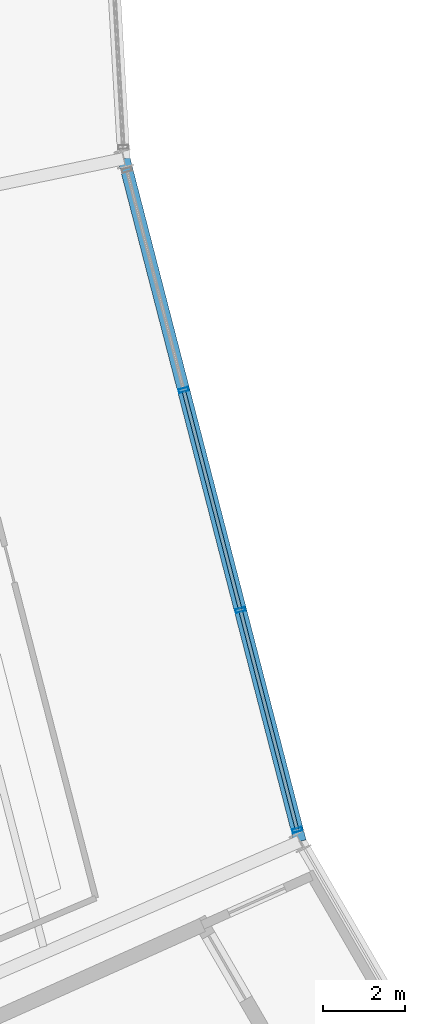
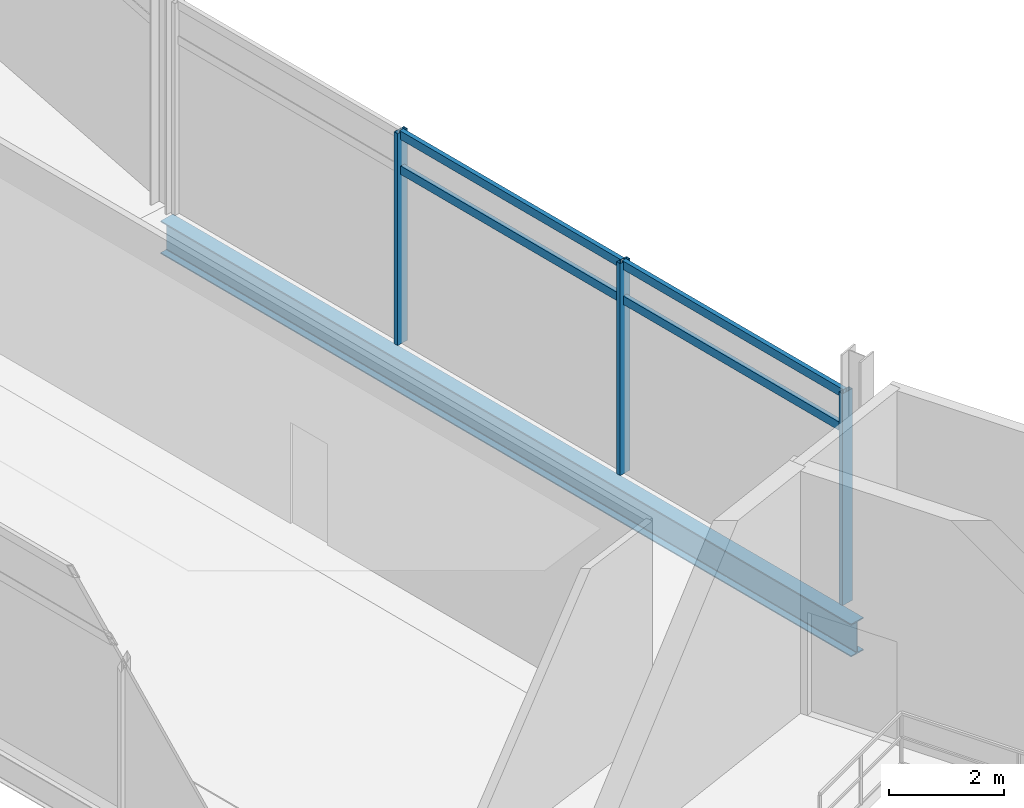
# One storey, part 27 of 86: 7 members, 1 beam, 1 element without a shape of its own.
"""IFC4 building model written with IfcOpenShell, lengths in metres."""

import ifcopenshell
import ifcopenshell.guid

model = None  # the IFC model being written
_history = None  # IfcOwnerHistory: only IFC2X3 demands one
_inside = {}  # id of a spatial element -> (the spatial element, [elements in it])
_under = {}  # id of a project, library or spatial element -> (it, [spatial elements below it])
_declared = {}  # id of a project -> (the project, [libraries it declares])
_typed = {}  # id of a type object -> (the type object, [elements of that type])
_made_of = {}  # id of a material, layer set ... -> (it, [elements and type objects made of it])


def new_model(schema):
    """Start an empty IFC model of exactly this schema.

    Asked for "IFC4X3", IfcOpenShell would pick the latest addendum, in which some entities
    have other attributes; the version numbers below select the first issue.
    IFC2X3 requires an IfcOwnerHistory on every rooted entity: one is made here for all.
    """
    global model, _history
    if schema == "IFC4X3":
        model = ifcopenshell.file(schema_version=(4, 3, 0, 0))
    else:
        model = ifcopenshell.file(schema=schema)
    _inside.clear()
    _under.clear()
    _declared.clear()
    _typed.clear()
    _made_of.clear()
    _history = None
    if model.schema == "IFC2X3":
        org = make("IfcOrganization", Name="unknown")
        user = make(
            "IfcPersonAndOrganization",
            ThePerson=make("IfcPerson", FamilyName="unknown"),
            TheOrganization=org,
        )
        app = make(
            "IfcApplication",
            ApplicationDeveloper=org,
            Version="unknown",
            ApplicationFullName="unknown",
            ApplicationIdentifier="unknown",
        )
        _history = make(
            "IfcOwnerHistory",
            OwningUser=user,
            OwningApplication=app,
            ChangeAction="ADDED",
            CreationDate=0,
        )
    return model


def make(cls, **values):
    """One entity of the class cls with the attributes given. An attribute that is None is left unset."""
    return model.create_entity(
        cls, **{name: value for name, value in values.items() if value is not None}
    )


def rooted(cls, **values):
    """An entity with a GlobalId (a new one), such as an element, a storey or a relation."""
    return make(cls, GlobalId=ifcopenshell.guid.new(), OwnerHistory=_history, **values)


def si_unit(unit_type, name, prefix=None):
    """IfcSIUnit, for example si_unit("LENGTHUNIT", "METRE", prefix="MILLI")."""
    return make("IfcSIUnit", UnitType=unit_type, Prefix=prefix, Name=name)


def assignment(units):
    """IfcUnitAssignment: the units of a project."""
    return None if units is None else make("IfcUnitAssignment", Units=units)


def point(xyz):
    """IfcCartesianPoint."""
    return None if xyz is None else make("IfcCartesianPoint", Coordinates=xyz)


def direction(xyz):
    """IfcDirection."""
    return None if xyz is None else make("IfcDirection", DirectionRatios=xyz)


def frame(location, z_axis=None, x_axis=None):
    """IfcAxis2Placement3D, a coordinate frame: its origin and axes. An axis left out is left unset."""
    return make(
        "IfcAxis2Placement3D",
        Location=point(location),
        Axis=direction(z_axis),
        RefDirection=direction(x_axis),
    )


def frame_2d(location, x_axis=None):
    """IfcAxis2Placement2D, a coordinate frame in the plane: its origin and x axis."""
    return make(
        "IfcAxis2Placement2D", Location=point(location), RefDirection=direction(x_axis)
    )


def origin():
    """The frame at (0, 0, 0) with its axes left unset."""
    return frame((0.0, 0.0, 0.0))


def origin_2d():
    """The frame at (0, 0) in the plane with its x axis left unset."""
    return frame_2d((0.0, 0.0))


def place(relative_to, where):
    """IfcLocalPlacement: puts the frame where relative to a parent placement (None: the world)."""
    return make(
        "IfcLocalPlacement", PlacementRelTo=relative_to, RelativePlacement=where
    )


def context(
    kind, dimensions, precision=None, world=None, true_north=None, identifier=None
):
    """IfcGeometricRepresentationContext, for example the 3D "Model" context."""
    return make(
        "IfcGeometricRepresentationContext",
        ContextIdentifier=identifier,
        ContextType=kind,
        CoordinateSpaceDimension=dimensions,
        Precision=precision,
        WorldCoordinateSystem=world,
        TrueNorth=true_north,
    )


def subcontext(parent, identifier, kind, view, scale=None):
    """IfcGeometricRepresentationSubContext, for example "Body" below "Model"."""
    return make(
        "IfcGeometricRepresentationSubContext",
        ContextIdentifier=identifier,
        ContextType=kind,
        ParentContext=parent,
        TargetScale=scale,
        TargetView=view,
    )


def project(units=None, contexts=None):
    """IfcProject with its units and contexts."""
    return rooted(
        "IfcProject",
        Name="project",
        RepresentationContexts=contexts,
        UnitsInContext=assignment(units),
    )


def spatial(cls, under=None, at=None, **own):
    """A site, building, storey or space (cls), placed at a placement, below another one or the project."""
    s = rooted(cls, ObjectPlacement=at, **own)
    if under is not None:
        _under.setdefault(under.id(), (under, []))[1].append(s)
    return s


def profile(cls, at=None, kind="AREA", **sizes):
    """A parametric profile (cls). Its sizes go by their IFC names, for example OverallWidth=200.0."""
    return make(cls, ProfileType=kind, Position=at, **sizes)


def hollow_rectangle(**sizes):
    """IfcRectangleHollowProfileDef."""
    return profile("IfcRectangleHollowProfileDef", **sizes)


def i_section(**sizes):
    """IfcIShapeProfileDef."""
    return profile("IfcIShapeProfileDef", **sizes)


def extrude(swept, where, along, depth):
    """IfcExtrudedAreaSolid: the profile swept, set in the frame where, extruded along a direction by depth."""
    return make(
        "IfcExtrudedAreaSolid",
        SweptArea=swept,
        Position=where,
        ExtrudedDirection=direction(along),
        Depth=depth,
    )


def shape(context_of_items, identifier, shape_type, items):
    """IfcShapeRepresentation: the items that make up one representation, for example the "Body"."""
    return make(
        "IfcShapeRepresentation",
        ContextOfItems=context_of_items,
        RepresentationIdentifier=identifier,
        RepresentationType=shape_type,
        Items=items,
    )


def material(Name=None, Category=None):
    """IfcMaterial."""
    return make("IfcMaterial", Name=Name, Category=Category)


def layer(
    of_material, thickness, ventilated=None, Name=None, Category=None, Priority=None
):
    """IfcMaterialLayer: one layer of a wall or slab, of a material (None: an air gap)."""
    return make(
        "IfcMaterialLayer",
        Material=of_material,
        LayerThickness=thickness,
        IsVentilated=ventilated,
        Name=Name,
        Category=Category,
        Priority=Priority,
    )


def layer_set(layers, Name=None):
    """IfcMaterialLayerSet."""
    return make("IfcMaterialLayerSet", MaterialLayers=layers, LayerSetName=Name)


def material_profile(
    of_material, cross_section, Name=None, Category=None, Priority=None
):
    """IfcMaterialProfile: a cross section and its material."""
    return make(
        "IfcMaterialProfile",
        Name=Name,
        Material=of_material,
        Profile=cross_section,
        Priority=Priority,
        Category=Category,
    )


def profile_set(profiles, Name=None, composite=None):
    """IfcMaterialProfileSet."""
    return make(
        "IfcMaterialProfileSet",
        Name=Name,
        MaterialProfiles=profiles,
        CompositeProfile=composite,
    )


def made_of(thing, what):
    """Note that an element or type object is made of a material, layer set ...; save() writes the relation."""
    if what is not None:
        _made_of.setdefault(what.id(), (what, []))[1].append(thing)
    return thing


def type_object(cls, material=None, **own):
    """A type object (cls), such as IfcWallType, which elements share."""
    return made_of(rooted(cls, **own), material)


def element(
    cls,
    number,
    at=None,
    inside=None,
    cuts=None,
    type_object=None,
    material=None,
    context=None,
    identifier="Body",
    shape_type=None,
    held_by="IfcProductDefinitionShape",
    body=None,
    shapes=None,
    **own,
):
    """One element of the class cls, such as IfcWall. Its Tag is "e" and its number.

    at: its placement. inside: the storey or other place that contains it. cuts: it is an
    opening in that element (IfcRelVoidsElement). A single representation is given by context,
    identifier, shape_type and body (its items); several are given by shapes. held_by: the class
    of the entity that holds the representations. save() writes the other relations.
    """
    e = rooted(cls, Tag="e%d" % number, ObjectPlacement=at, **own)
    if body is not None:
        shapes = [shape(context, identifier, shape_type, body)]
    if shapes is not None:
        e.Representation = make(held_by, Representations=shapes)
    if inside is not None:
        _inside.setdefault(inside.id(), (inside, []))[1].append(e)
    if cuts is not None:
        rooted(
            "IfcRelVoidsElement", RelatingBuildingElement=cuts, RelatedOpeningElement=e
        )
    if type_object is not None:
        _typed.setdefault(type_object.id(), (type_object, []))[1].append(e)
    return made_of(e, material)


def aggregate(whole, parts):
    """IfcRelAggregates: a whole, such as a stair, and the parts it consists of."""
    return rooted("IfcRelAggregates", RelatingObject=whole, RelatedObjects=parts)


def save(model, path):
    """Write the relations noted so far, then the file.

    IfcRelAggregates (storeys below a building ...), IfcRelContainedInSpatialStructure (elements
    in a storey), IfcRelDefinesByType, IfcRelAssociatesMaterial and IfcRelDeclares: one each for
    every whole, place, type object, material and project.
    """
    for whole, parts in _under.values():
        aggregate(whole, parts)
    for where, things in _inside.values():
        rooted(
            "IfcRelContainedInSpatialStructure",
            RelatedElements=things,
            RelatingStructure=where,
        )
    for kind, things in _typed.values():
        rooted("IfcRelDefinesByType", RelatedObjects=things, RelatingType=kind)
    for what, things in _made_of.values():
        rooted("IfcRelAssociatesMaterial", RelatedObjects=things, RelatingMaterial=what)
    for by, libraries in _declared.values():
        rooted("IfcRelDeclares", RelatingContext=by, RelatedDefinitions=libraries)
    model.write(path)


model = new_model("IFC4")

# Units and contexts
model_context = context("Model", 3, precision=1e-05, world=origin(), true_north=direction((0.0, 1.0)))
body_context = subcontext(model_context, "Body", "Model", "MODEL_VIEW")
ifc_project = project(units=[si_unit("LENGTHUNIT", "METRE"), si_unit("AREAUNIT", "SQUARE_METRE"), si_unit("VOLUMEUNIT", "CUBIC_METRE"), si_unit("PLANEANGLEUNIT", "RADIAN"), si_unit("MASSUNIT", "GRAM", prefix="KILO")], contexts=[model_context])

# Site, building, storey
site_placement = place(None, origin())
site = spatial("IfcSite", under=ifc_project, at=site_placement, CompositionType="ELEMENT")
building_placement = place(site_placement, origin())
building = spatial("IfcBuilding", under=site, at=building_placement, Name="Kazemori Nagisa Stadium", CompositionType="ELEMENT")
storey_placement = place(building_placement, frame((0.0, 0.0, 31.280029296875)))
storey = spatial("IfcBuildingStorey", under=building, at=storey_placement, Name="L06", CompositionType="ELEMENT", Elevation=31.280029296875)

# Beam
ifc_material_1 = material(Name="Steel SN490B", Category="steel")
ifc_material_profile_1 = material_profile(ifc_material_1, i_section(OverallWidth=0.300048828125, OverallDepth=0.699951171875, WebThickness=0.012939453125, FlangeThickness=0.02392578125, FilletRadius=0.01806640625, at=origin_2d()), Name="H-700x300x13x24")
ifc_profile_set_1 = profile_set([ifc_material_profile_1], Name="Steel SN490B")
beam_type = type_object("IfcBeamType", Name="Beam_BG-H700", PredefinedType="BEAM", material=ifc_profile_set_1)
beam_placement = place(storey_placement, frame((42.262451171875, 85.31787109375, -0.610107421875), z_axis=(0.249974673676, -0.968252375427, 0.0), x_axis=(0.968252375427, 0.249974673676, 0.0)))
element("IfcBeam", 1, at=beam_placement, inside=storey, type_object=beam_type, Name="Ring girder BG-H700 L06 R2-16", PredefinedType="BEAM", context=body_context, shape_type="SweptSolid", body=[
    extrude(i_section(OverallWidth=0.300048828125, OverallDepth=0.699951171875, WebThickness=0.012939453125, FlangeThickness=0.02392578125, FilletRadius=0.01806640625, at=origin_2d()), origin(), (0.0, 0.0, 1.0), 17.188232421875),
])

# Curtain wall, members
ifc_material_2 = material(Name="Anodised aluminium 6063-T5", Category="aluminium")
ifc_layer = layer(ifc_material_2, 0.239990234375, Name="Anodised aluminium 6063-T5", Category="aluminium")
ifc_layer_set = layer_set([ifc_layer], Name="Anodised aluminium 6063-T5")
curtain_wall_type = type_object("IfcCurtainWallType", Name="CW_L06G_83", PredefinedType="USERDEFINED", material=ifc_layer_set)
curtain_wall_placement = place(storey_placement, origin())
curtain_wall = element("IfcCurtainWall", 2, at=curtain_wall_placement, inside=storey, type_object=curtain_wall_type, Name="Unitised curtain wall CW-L06G-83 L06", ObjectType="UNITISED CURTAIN WALL", PredefinedType="USERDEFINED")
ifc_material_3 = material(Name="Aluminium 6063-T5 anodised", Category="aluminium")
ifc_material_profile_2 = material_profile(ifc_material_3, hollow_rectangle(XDim=0.090087890625, YDim=0.239990234375, WallThickness=0.0048828125, at=origin_2d()), Name="ALU-MULL-90x240x5")
ifc_profile_set_2 = profile_set([ifc_material_profile_2], Name="Aluminium 6063-T5 anodised")
member_type_1 = type_object("IfcMemberType", Name="Mullion_M03", PredefinedType="MULLION", material=ifc_profile_set_2)
member_1_placement = place(storey_placement, frame((43.718505859375, 79.678466796875, 0.0), z_axis=(0.0, 0.0, 1.0), x_axis=(0.249964642418, -0.968254965152, 0.0)))
member_1 = element("IfcMember", 3, at=member_1_placement, type_object=member_type_1, Name="Curtain wall mullion CW-L06G-83-M2", PredefinedType="MULLION", context=body_context, shape_type="SweptSolid", body=[
    extrude(hollow_rectangle(XDim=0.090087890625, YDim=0.239990234375, WallThickness=0.0048828125, at=origin_2d()), origin(), (0.0, 0.0, 1.0), 4.510009765625),
])
member_2_placement = place(storey_placement, frame((45.10302734375, 74.31494140625, 0.0), z_axis=(0.0, 0.0, 1.0), x_axis=(0.249964642418, -0.968254965152, 0.0)))
member_2 = element("IfcMember", 4, at=member_2_placement, type_object=member_type_1, Name="Curtain wall mullion CW-L06G-83-M3", PredefinedType="MULLION", context=body_context, shape_type="SweptSolid", body=[
    extrude(hollow_rectangle(XDim=0.090087890625, YDim=0.239990234375, WallThickness=0.0048828125, at=origin_2d()), origin(), (0.0, 0.0, 1.0), 4.510009765625),
])
member_3_placement = place(storey_placement, frame((46.48779296875, 68.951416015625, 0.0), z_axis=(0.0, 0.0, 1.0), x_axis=(0.249964642418, -0.968254965152, 0.0)))
member_3 = element("IfcMember", 5, at=member_3_placement, type_object=member_type_1, Name="Curtain wall mullion CW-L06G-83-M4", PredefinedType="MULLION", context=body_context, shape_type="SweptSolid", body=[
    extrude(hollow_rectangle(XDim=0.090087890625, YDim=0.239990234375, WallThickness=0.0048828125, at=origin_2d()), origin(), (0.0, 0.0, 1.0), 4.510009765625),
])
ifc_material_profile_3 = material_profile(ifc_material_3, hollow_rectangle(XDim=0.090087890625, YDim=0.179931640625, WallThickness=0.0048828125, at=origin_2d()), Name="ALU-TRAN-90x180x5")
ifc_profile_set_3 = profile_set([ifc_material_profile_3], Name="Aluminium 6063-T5 anodised")
member_type_2 = type_object("IfcMemberType", Name="Transom_T03", PredefinedType="USERDEFINED", material=ifc_profile_set_3)
member_4_placement = place(storey_placement, frame((43.723388671875, 79.6591796875, 3.6982421875), z_axis=(0.249976028449, -0.968252025663, 0.0), x_axis=(0.968252025663, 0.249976028449, 0.0)))
member_4 = element("IfcMember", 6, at=member_4_placement, type_object=member_type_2, Name="Curtain wall transom CW-L06G-83-T2-mid", ObjectType="TRANSOM", PredefinedType="USERDEFINED", context=body_context, shape_type="SweptSolid", body=[
    extrude(hollow_rectangle(XDim=0.090087890625, YDim=0.179931640625, WallThickness=0.0048828125, at=origin_2d()), origin(), (0.0, 0.0, 1.0), 5.49951171875),
])
member_5_placement = place(storey_placement, frame((43.723388671875, 79.6591796875, 4.43994140625), z_axis=(0.249976028449, -0.968252025663, 0.0), x_axis=(0.968252025663, 0.249976028449, 0.0)))
member_5 = element("IfcMember", 7, at=member_5_placement, type_object=member_type_2, Name="Curtain wall transom CW-L06G-83-T2-head", ObjectType="TRANSOM", PredefinedType="USERDEFINED", context=body_context, shape_type="SweptSolid", body=[
    extrude(hollow_rectangle(XDim=0.090087890625, YDim=0.179931640625, WallThickness=0.0048828125, at=origin_2d()), origin(), (0.0, 0.0, 1.0), 5.49951171875),
])
member_6_placement = place(storey_placement, frame((45.108154296875, 74.295654296875, 3.6982421875), z_axis=(0.249934408946, -0.968262769719, 0.0), x_axis=(0.968262769719, 0.249934408946, 0.0)))
member_6 = element("IfcMember", 8, at=member_6_placement, type_object=member_type_2, Name="Curtain wall transom CW-L06G-83-T3-mid", ObjectType="TRANSOM", PredefinedType="USERDEFINED", context=body_context, shape_type="SweptSolid", body=[
    extrude(hollow_rectangle(XDim=0.090087890625, YDim=0.179931640625, WallThickness=0.0048828125, at=origin_2d()), origin(), (0.0, 0.0, 1.0), 5.49951171875),
])
member_7_placement = place(storey_placement, frame((45.108154296875, 74.295654296875, 4.43994140625), z_axis=(0.249934408946, -0.968262769719, 0.0), x_axis=(0.968262769719, 0.249934408946, 0.0)))
member_7 = element("IfcMember", 9, at=member_7_placement, type_object=member_type_2, Name="Curtain wall transom CW-L06G-83-T3-head", ObjectType="TRANSOM", PredefinedType="USERDEFINED", context=body_context, shape_type="SweptSolid", body=[
    extrude(hollow_rectangle(XDim=0.090087890625, YDim=0.179931640625, WallThickness=0.0048828125, at=origin_2d()), origin(), (0.0, 0.0, 1.0), 5.49951171875),
])
aggregate(curtain_wall, [member_1, member_2, member_3, member_4, member_5, member_6, member_7])

save(model, "model.ifc")
